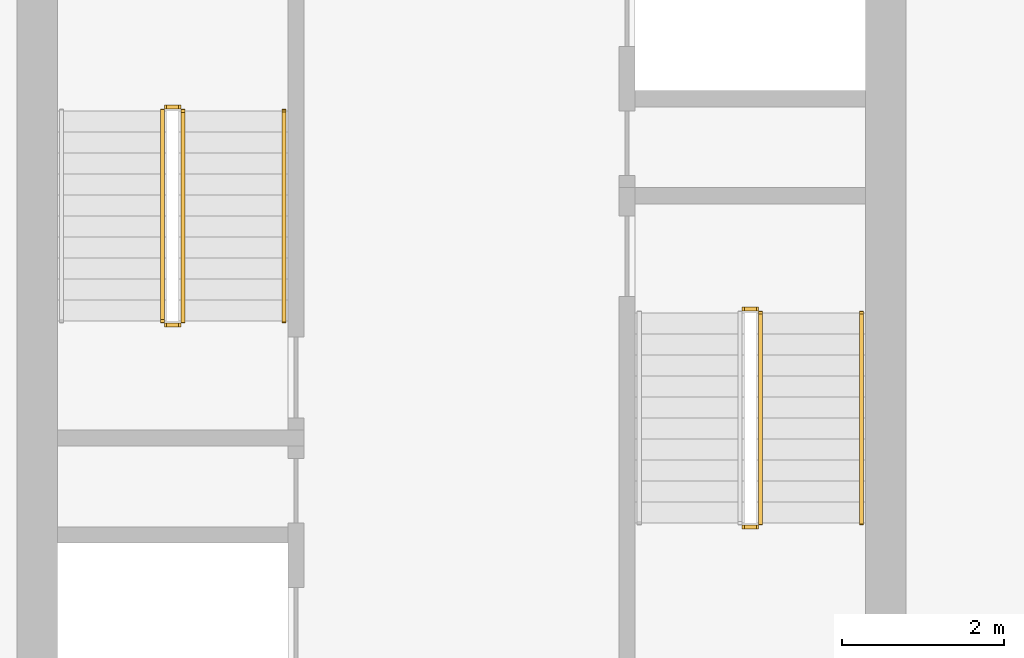
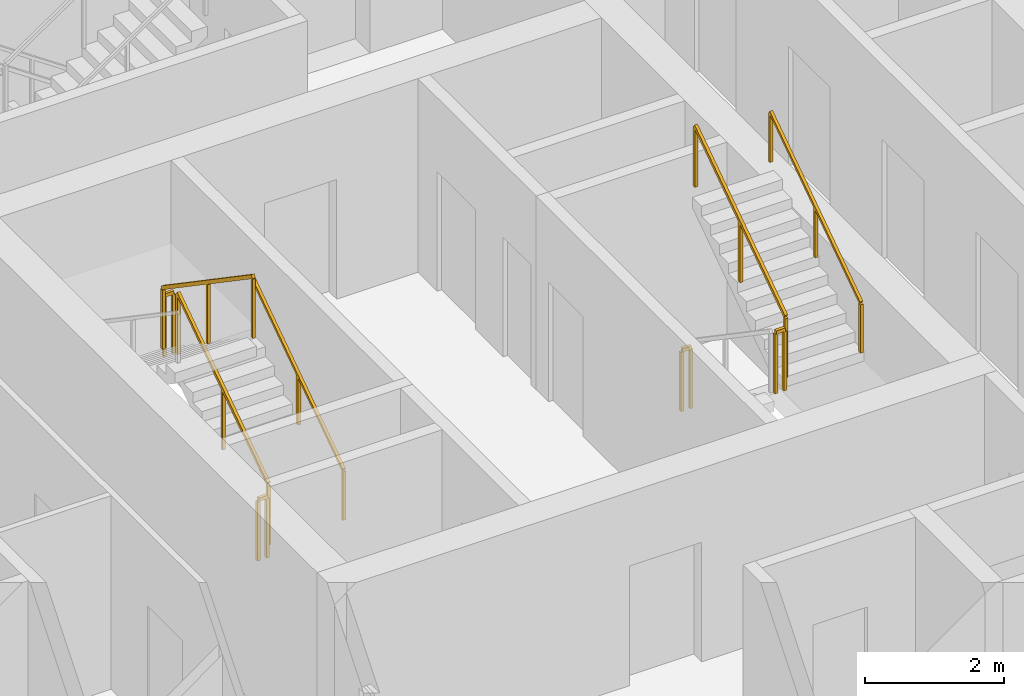
# One storey, part 13 of 16: 9 railings.
"""IFC4 building model written with IfcOpenShell, lengths in metres."""

from ifc_helpers import new_model, si_unit, direction, frame, origin, origin_2d, place, context, subcontext, project, spatial, rectangle, extrude, material, type_object, element, save


model = new_model("IFC4")

# Units and contexts
model_context = context("Model", 3, precision=1e-05, world=origin(), true_north=direction((0.0, 1.0)))
body_context = subcontext(model_context, "Body", "Model", "MODEL_VIEW")
ifc_project = project(units=[si_unit("LENGTHUNIT", "METRE"), si_unit("AREAUNIT", "SQUARE_METRE"), si_unit("VOLUMEUNIT", "CUBIC_METRE"), si_unit("PLANEANGLEUNIT", "RADIAN"), si_unit("MASSUNIT", "GRAM", prefix="KILO")], contexts=[model_context])

# Site, building, storey
site_placement = place(None, origin())
site = spatial("IfcSite", under=ifc_project, at=site_placement, CompositionType="ELEMENT")
building_placement = place(site_placement, origin())
building = spatial("IfcBuilding", under=site, at=building_placement, Name="Khepri Terraces", CompositionType="ELEMENT")
storey_placement = place(building_placement, frame((0.0, 0.0, 176.699951171875)))
storey = spatial("IfcBuildingStorey", under=building, at=storey_placement, Name="L42", CompositionType="ELEMENT", Elevation=176.699951171875)

# Railings
ifc_material = material(Name="Stainless steel 316", Category="steel")
railing_type_1 = type_object("IfcRailingType", Name="RL-CORE-GUARD", PredefinedType="GUARDRAIL", material=ifc_material)
railing_1_placement = place(storey_placement, frame((-3.449951171875, -0.050048828125, 0.17724609375)))
element("IfcRailing", 1, at=railing_1_placement, inside=storey, type_object=railing_type_1, Name="L42 ST-1 stair guard 1", PredefinedType="GUARDRAIL", context=body_context, shape_type="SweptSolid", body=[
    extrude(rectangle(XDim=0.050048828125, YDim=0.06005859375, at=origin_2d()), frame((0.0, 0.0, 1.070068359375), z_axis=(0.0, 0.826240473404, 0.563317565952), x_axis=(-1.0, 0.0, 0.0)), (0.0, 0.0, 1.0), 3.14697265625),
    extrude(rectangle(XDim=0.050048828125, YDim=0.050048828125, at=origin_2d()), origin(), (0.0, 0.0, 1.0), 1.0400390625),
    extrude(rectangle(XDim=0.050048828125, YDim=0.050048828125, at=origin_2d()), frame((0.0, 1.300048828125, 0.88623046875)), (0.0, 0.0, 1.0), 1.0400390625),
    extrude(rectangle(XDim=0.050048828125, YDim=0.050048828125, at=origin_2d()), frame((0.0, 2.60009765625, 1.772705078125)), (0.0, 0.0, 1.0), 1.0400390625),
])
railing_2_placement = place(storey_placement, frame((-3.5, 2.60009765625, 1.949951171875)))
element("IfcRailing", 2, at=railing_2_placement, inside=storey, type_object=railing_type_1, Name="L42 ST-1 stair guard 2", PredefinedType="GUARDRAIL", context=body_context, shape_type="SweptSolid", body=[
    extrude(rectangle(XDim=0.050048828125, YDim=0.06005859375, at=origin_2d()), frame((0.0, 0.0, 1.070068359375), z_axis=(-1.0, 0.0, 0.0), x_axis=(0.0, -1.0, 0.0)), (0.0, 0.0, 1.0), 0.14990234375),
    extrude(rectangle(XDim=0.050048828125, YDim=0.050048828125, at=origin_2d()), origin(), (0.0, 0.0, 1.0), 1.0400390625),
    extrude(rectangle(XDim=0.050048828125, YDim=0.050048828125, at=origin_2d()), frame((-0.14990234375, 0.0, 0.0)), (0.0, 0.0, 1.0), 1.0400390625),
])
railing_3_placement = place(storey_placement, frame((-3.699951171875, 2.550048828125, 2.12744140625)))
element("IfcRailing", 3, at=railing_3_placement, inside=storey, type_object=railing_type_1, Name="L42 ST-1 stair guard 3", PredefinedType="GUARDRAIL", context=body_context, shape_type="SweptSolid", body=[
    extrude(rectangle(XDim=0.050048828125, YDim=0.06005859375, at=origin_2d()), frame((0.0, 0.0, 1.070068359375), z_axis=(0.0, -0.826240473404, 0.563317565952), x_axis=(1.0, 0.0, 0.0)), (0.0, 0.0, 1.0), 3.14697265625),
    extrude(rectangle(XDim=0.050048828125, YDim=0.050048828125, at=origin_2d()), origin(), (0.0, 0.0, 1.0), 1.0400390625),
    extrude(rectangle(XDim=0.050048828125, YDim=0.050048828125, at=origin_2d()), frame((0.0, -1.300048828125, 0.88623046875)), (0.0, 0.0, 1.0), 1.0400390625),
    extrude(rectangle(XDim=0.050048828125, YDim=0.050048828125, at=origin_2d()), frame((0.0, -2.60009765625, 1.772705078125)), (0.0, 0.0, 1.0), 1.0400390625),
])
railing_4_placement = place(storey_placement, frame((-3.5, -0.10009765625, 0.0)))
element("IfcRailing", 4, at=railing_4_placement, inside=storey, type_object=railing_type_1, Name="L42 ST-1 stair guard 4", PredefinedType="GUARDRAIL", context=body_context, shape_type="SweptSolid", body=[
    extrude(rectangle(XDim=0.050048828125, YDim=0.06005859375, at=origin_2d()), frame((0.0, 0.0, 1.070068359375), z_axis=(-1.0, 0.0, 0.0), x_axis=(0.0, -1.0, 0.0)), (0.0, 0.0, 1.0), 0.14990234375),
    extrude(rectangle(XDim=0.050048828125, YDim=0.050048828125, at=origin_2d()), origin(), (0.0, 0.0, 1.0), 1.0400390625),
    extrude(rectangle(XDim=0.050048828125, YDim=0.050048828125, at=origin_2d()), frame((-0.14990234375, 0.0, 0.0)), (0.0, 0.0, 1.0), 1.0400390625),
])
railing_5_placement = place(storey_placement, frame((3.5, -2.60009765625, 1.949951171875)))
element("IfcRailing", 5, at=railing_5_placement, inside=storey, type_object=railing_type_1, Name="L42 ST-2 stair guard 2", PredefinedType="GUARDRAIL", context=body_context, shape_type="SweptSolid", body=[
    extrude(rectangle(XDim=0.050048828125, YDim=0.06005859375, at=origin_2d()), frame((0.0, 0.0, 1.070068359375), z_axis=(1.0, 0.0, 0.0), x_axis=(0.0, 1.0, 0.0)), (0.0, 0.0, 1.0), 0.14990234375),
    extrude(rectangle(XDim=0.050048828125, YDim=0.050048828125, at=origin_2d()), origin(), (0.0, 0.0, 1.0), 1.0400390625),
    extrude(rectangle(XDim=0.050048828125, YDim=0.050048828125, at=origin_2d()), frame((0.14990234375, 0.0, 0.0)), (0.0, 0.0, 1.0), 1.0400390625),
])
railing_6_placement = place(storey_placement, frame((3.699951171875, -2.550048828125, 2.12744140625)))
element("IfcRailing", 6, at=railing_6_placement, inside=storey, type_object=railing_type_1, Name="L42 ST-2 stair guard 3", PredefinedType="GUARDRAIL", context=body_context, shape_type="SweptSolid", body=[
    extrude(rectangle(XDim=0.050048828125, YDim=0.06005859375, at=origin_2d()), frame((0.0, 0.0, 1.070068359375), z_axis=(0.0, 0.826240473404, 0.563317565952), x_axis=(-1.0, 0.0, 0.0)), (0.0, 0.0, 1.0), 3.14697265625),
    extrude(rectangle(XDim=0.050048828125, YDim=0.050048828125, at=origin_2d()), origin(), (0.0, 0.0, 1.0), 1.0400390625),
    extrude(rectangle(XDim=0.050048828125, YDim=0.050048828125, at=origin_2d()), frame((0.0, 1.300048828125, 0.88623046875)), (0.0, 0.0, 1.0), 1.0400390625),
    extrude(rectangle(XDim=0.050048828125, YDim=0.050048828125, at=origin_2d()), frame((0.0, 2.60009765625, 1.772705078125)), (0.0, 0.0, 1.0), 1.0400390625),
])
railing_7_placement = place(storey_placement, frame((3.5, 0.10009765625, 0.0)))
element("IfcRailing", 7, at=railing_7_placement, inside=storey, type_object=railing_type_1, Name="L42 ST-2 stair guard 4", PredefinedType="GUARDRAIL", context=body_context, shape_type="SweptSolid", body=[
    extrude(rectangle(XDim=0.050048828125, YDim=0.06005859375, at=origin_2d()), frame((0.0, 0.0, 1.070068359375), z_axis=(1.0, 0.0, 0.0), x_axis=(0.0, 1.0, 0.0)), (0.0, 0.0, 1.0), 0.14990234375),
    extrude(rectangle(XDim=0.050048828125, YDim=0.050048828125, at=origin_2d()), origin(), (0.0, 0.0, 1.0), 1.0400390625),
    extrude(rectangle(XDim=0.050048828125, YDim=0.050048828125, at=origin_2d()), frame((0.14990234375, 0.0, 0.0)), (0.0, 0.0, 1.0), 1.0400390625),
])
railing_type_2 = type_object("IfcRailingType", Name="RL-CORE-HANDRAIL", PredefinedType="HANDRAIL", material=ifc_material)
for number, where, name in (
    (8, (-2.199951171875, -0.050048828125, 0.17724609375), "L42 ST-1 stair handrail 1"),
    (9, (4.949951171875, -2.550048828125, 2.12744140625), "L42 ST-2 stair handrail 2"),
):
    element("IfcRailing", number, at=place(storey_placement, frame(where)), inside=storey, type_object=railing_type_2, Name=name, PredefinedType="HANDRAIL", context=body_context, shape_type="SweptSolid", body=[
        extrude(rectangle(XDim=0.050048828125, YDim=0.050048828125, at=origin_2d()), frame((0.0, 0.0, 0.875), z_axis=(0.0, 0.826240473404, 0.563317565952), x_axis=(-1.0, 0.0, 0.0)), (0.0, 0.0, 1.0), 3.14697265625),
        extrude(rectangle(XDim=0.050048828125, YDim=0.050048828125, at=origin_2d()), origin(), (0.0, 0.0, 1.0), 0.849853515625),
        extrude(rectangle(XDim=0.050048828125, YDim=0.050048828125, at=origin_2d()), frame((0.0, 1.300048828125, 0.88623046875)), (0.0, 0.0, 1.0), 0.849853515625),
        extrude(rectangle(XDim=0.050048828125, YDim=0.050048828125, at=origin_2d()), frame((0.0, 2.60009765625, 1.772705078125)), (0.0, 0.0, 1.0), 0.849853515625),
    ])

save(model, "model.ifc")
